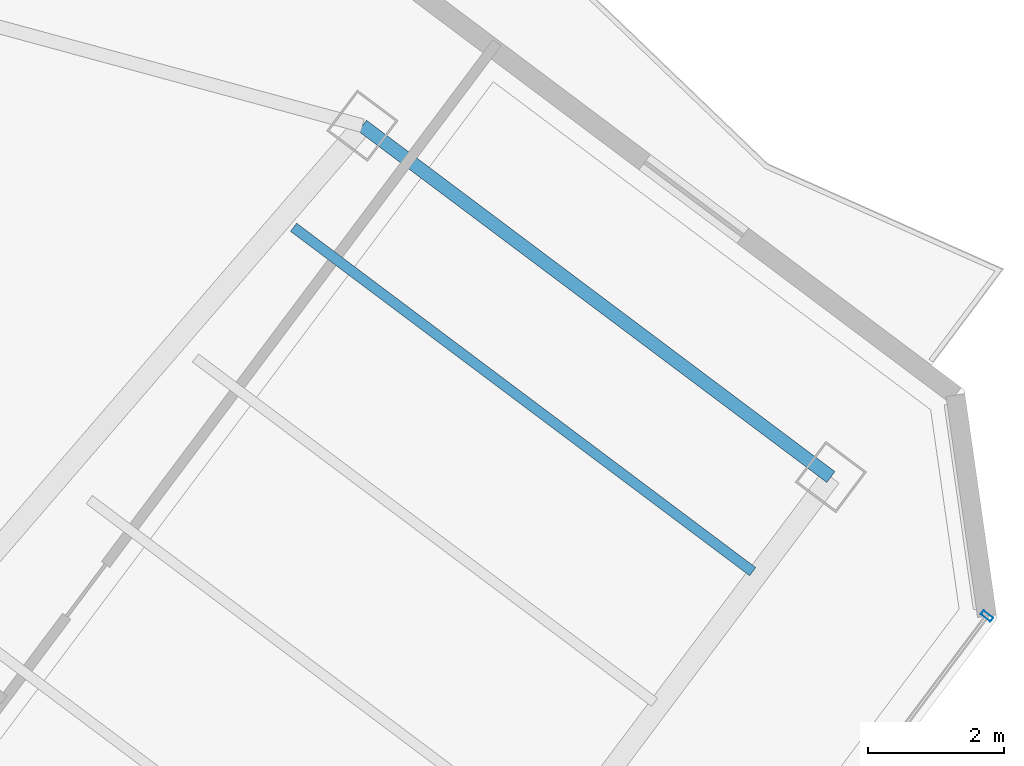
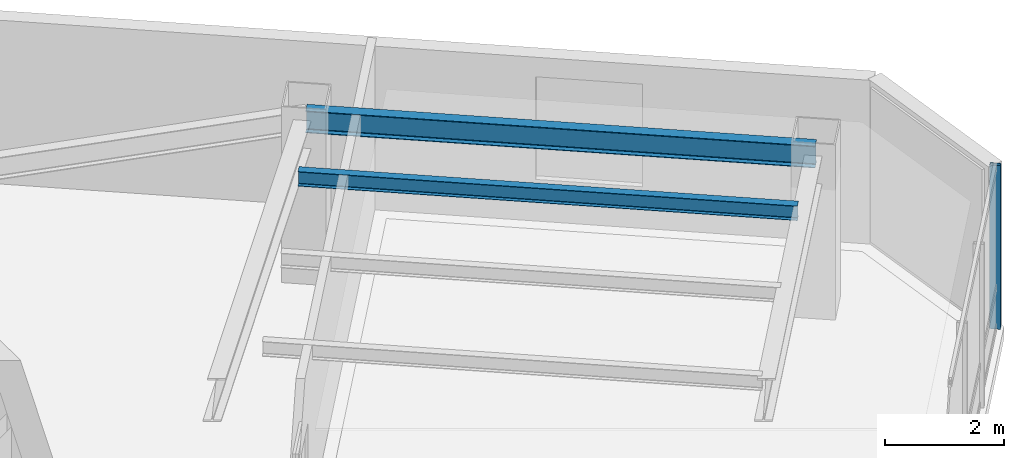
# One storey, part 14 of 24: 2 beams, 1 member, 1 element without a shape of its own.
"""IFC4 building model written with IfcOpenShell, lengths in metres."""

from ifc_helpers import new_model, si_unit, direction, frame, origin, origin_2d, place, context, subcontext, project, spatial, hollow_rectangle, i_section, extrude, material, layer, layer_set, material_profile, profile_set, type_object, element, aggregate, save


model = new_model("IFC4")

# Units and contexts
model_context = context("Model", 3, precision=1e-05, world=origin(), true_north=direction((0.0, 1.0)))
body_context = subcontext(model_context, "Body", "Model", "MODEL_VIEW")
ifc_project = project(units=[si_unit("LENGTHUNIT", "METRE"), si_unit("AREAUNIT", "SQUARE_METRE"), si_unit("VOLUMEUNIT", "CUBIC_METRE"), si_unit("PLANEANGLEUNIT", "RADIAN"), si_unit("MASSUNIT", "GRAM", prefix="KILO")], contexts=[model_context])

# Site, building, storey
site_placement = place(None, origin())
site = spatial("IfcSite", under=ifc_project, at=site_placement, CompositionType="ELEMENT")
building_placement = place(site_placement, origin())
building = spatial("IfcBuilding", under=site, at=building_placement, Name="Hatsunagi Terrace Concourse", CompositionType="ELEMENT")
storey_placement = place(building_placement, frame((0.0, 0.0, 191.550048828125)))
storey = spatial("IfcBuildingStorey", under=building, at=storey_placement, Name="L50", CompositionType="ELEMENT", Elevation=191.550048828125)

# Curtain wall, member
ifc_material_1 = material(Name="Anodised Aluminium Alloy 6063-T5", Category="aluminium")
ifc_layer = layer(ifc_material_1, 0.199951171875)
ifc_layer_set = layer_set([ifc_layer], Name="OfficeZone2_CW04")
curtain_wall_type = type_object("IfcCurtainWallType", Name="OfficeZone2_CW04", PredefinedType="NOTDEFINED", material=ifc_layer_set)
curtain_wall_placement = place(storey_placement, origin())
curtain_wall = element("IfcCurtainWall", 1, at=curtain_wall_placement, inside=storey, type_object=curtain_wall_type, Name="Unitised Curtain Wall CW-04 CW-L50-03", PredefinedType="NOTDEFINED")
ifc_material_2 = material(Name="Anodised Aluminium Alloy 6063-T5", Category="aluminium")
ifc_material_profile_1 = material_profile(ifc_material_2, hollow_rectangle(XDim=0.070068359375, YDim=0.179931640625, WallThickness=0.00390625, at=origin_2d()), Name="ALU-MUL-180x70x4")
ifc_profile_set_1 = profile_set([ifc_material_profile_1], Name="Anodised Aluminium Alloy 6063-T5")
member_type = type_object("IfcMemberType", Name="CurtainWallMullion_180x70", PredefinedType="MULLION", material=ifc_profile_set_1)
member_placement = place(storey_placement, frame((60.693115234375, 25.9580078125, 0.0), z_axis=(0.0, 0.0, 1.0), x_axis=(-0.599969314634, -0.800023013105, 0.0)))
member = element("IfcMember", 2, at=member_placement, type_object=member_type, Name="Curtain Wall Mullion MUL-02", PredefinedType="MULLION", context=body_context, shape_type="SweptSolid", body=[
    extrude(hollow_rectangle(XDim=0.070068359375, YDim=0.179931640625, WallThickness=0.00390625, at=origin_2d()), origin(), (0.0, 0.0, 1.0), 3.349853515625),
])
aggregate(curtain_wall, [member])

# Beams
ifc_material_3 = material(Name="Steel SN490B", Category="steel")
ifc_material_profile_2 = material_profile(ifc_material_3, i_section(OverallWidth=0.14990234375, OverallDepth=0.300048828125, WebThickness=0.006591796875, FlangeThickness=0.009033203125, FilletRadius=0.010986328125, at=origin_2d()), Name="H-300x150x6.5x9")
ifc_profile_set_2 = profile_set([ifc_material_profile_2], Name="Steel SN490B")
beam_type_1 = type_object("IfcBeamType", Name="OfficeJoist_H_300x150", PredefinedType="JOIST", material=ifc_profile_set_2)
beam_1_placement = place(storey_placement, frame((50.508056640625, 31.6689453125, 3.199951171875), z_axis=(0.800003475366, -0.59999536615, 0.0), x_axis=(0.59999536615, 0.800003475366, 0.0)))
element("IfcBeam", 3, at=beam_1_placement, inside=storey, type_object=beam_type_1, Name="Beam J-03 J-L50-SE-2-218", PredefinedType="JOIST", context=body_context, shape_type="SweptSolid", body=[
    extrude(i_section(OverallWidth=0.14990234375, OverallDepth=0.300048828125, WebThickness=0.006591796875, FlangeThickness=0.009033203125, FilletRadius=0.010986328125, at=origin_2d()), origin(), (0.0, 0.0, 1.0), 8.429931640625),
])
ifc_material_4 = material(Name="Steel SN490B", Category="steel")
ifc_material_profile_3 = material_profile(ifc_material_4, i_section(OverallWidth=0.199951171875, OverallDepth=0.449951171875, WebThickness=0.009033203125, FlangeThickness=0.013916015625, FilletRadius=0.01611328125, at=origin_2d()), Name="H-450x200x9x14")
ifc_profile_set_3 = profile_set([ifc_material_profile_3], Name="Steel SN490B")
beam_type_2 = type_object("IfcBeamType", Name="PerimeterSpandrel_H_450x200", PredefinedType="SPANDREL", material=ifc_profile_set_3)
beam_2_placement = place(storey_placement, frame((51.52001953125, 33.159912109375, 3.125), z_axis=(0.8, -0.6, 0.0), x_axis=(0.6, 0.8, 0.0)))
element("IfcBeam", 4, at=beam_2_placement, inside=storey, type_object=beam_type_2, Name="Beam SP-02 BM-L50-SE-NE2", PredefinedType="SPANDREL", context=body_context, shape_type="SweptSolid", body=[
    extrude(i_section(OverallWidth=0.199951171875, OverallDepth=0.449951171875, WebThickness=0.009033203125, FlangeThickness=0.013916015625, FilletRadius=0.01611328125, at=origin_2d()), origin(), (0.0, 0.0, 1.0), 8.599853515625),
])

save(model, "model.ifc")
